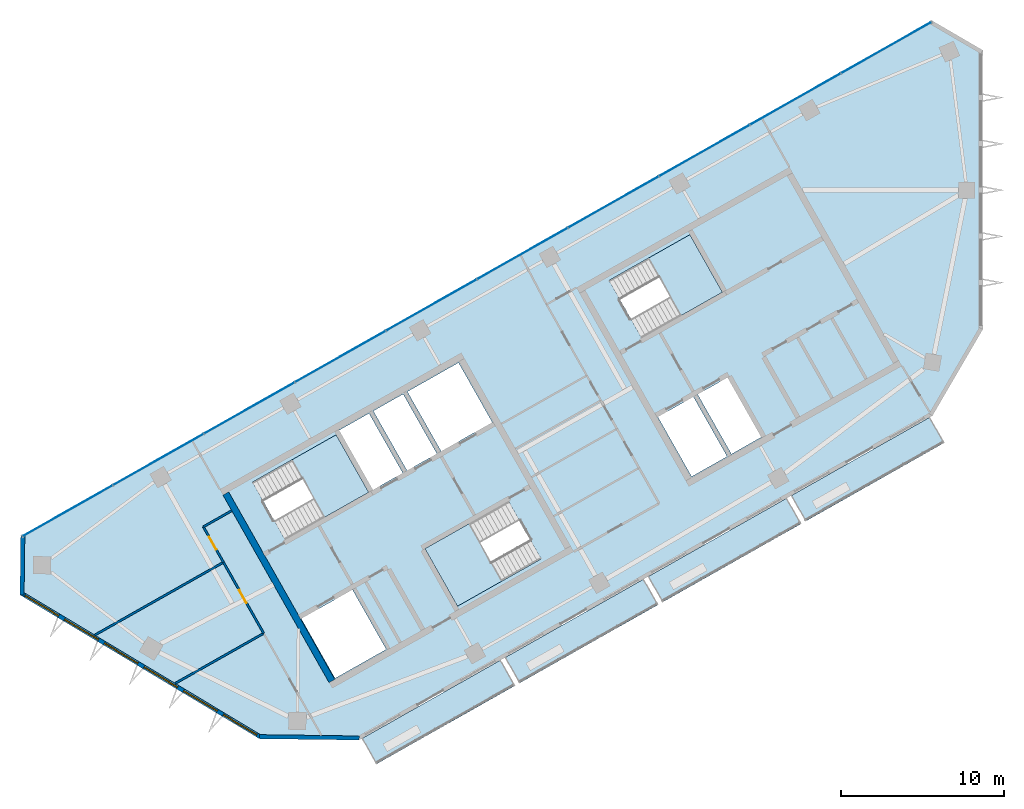
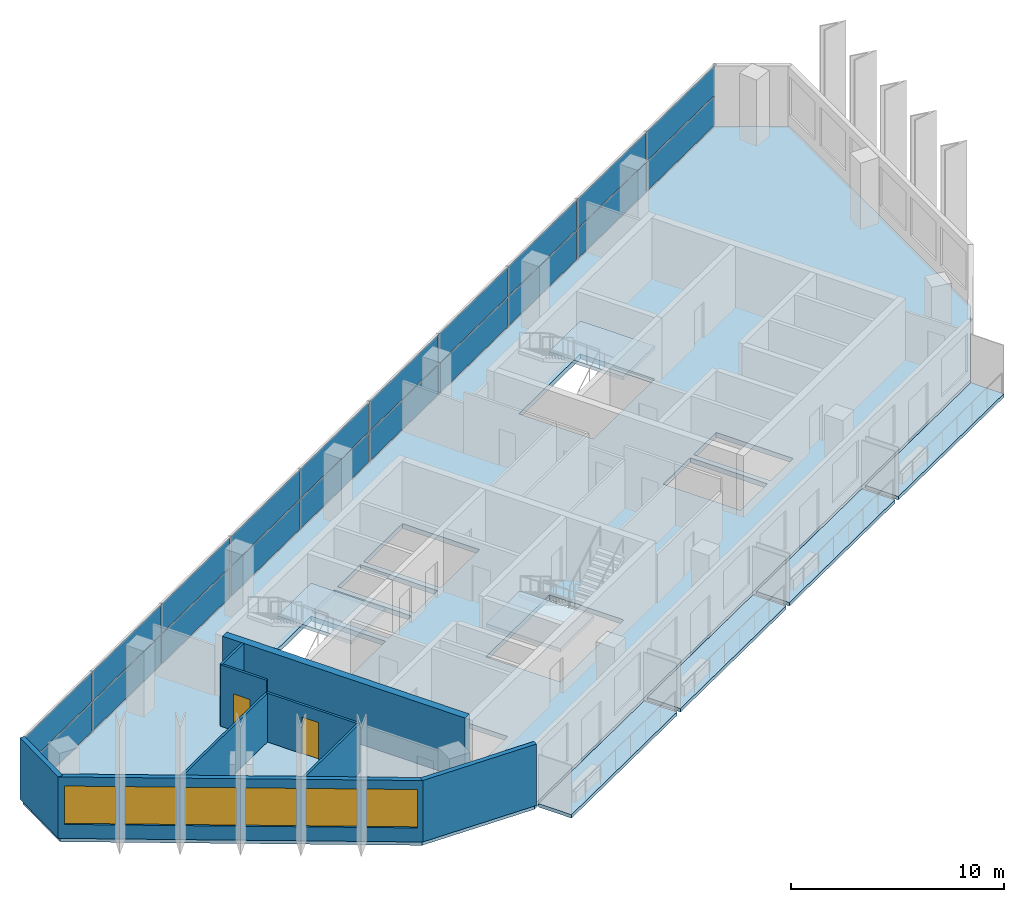
# One storey, part 5 of 10: 20 plates, 9 walls, 8 slabs, 6 windows, 2 doors, 8 openings, 4 elements without a shape of their own.
"""IFC4 building model written with IfcOpenShell, lengths in metres."""

from ifc_helpers import new_model, si_unit, direction, frame, frame_2d, origin, origin_2d, place, context, subcontext, project, spatial, polyline, rectangle, outline, extrude, material, layer, layer_set, type_object, element, fill, aggregate, save


model = new_model("IFC4")

# Units and contexts
model_context = context("Model", 3, precision=1e-05, world=origin(), true_north=direction((0.0, 1.0)))
body_context = subcontext(model_context, "Body", "Model", "MODEL_VIEW")
ifc_project = project(units=[si_unit("LENGTHUNIT", "METRE"), si_unit("AREAUNIT", "SQUARE_METRE"), si_unit("VOLUMEUNIT", "CUBIC_METRE"), si_unit("PLANEANGLEUNIT", "RADIAN"), si_unit("MASSUNIT", "GRAM", prefix="KILO")], contexts=[model_context])

# Site, building, storey
site_placement = place(None, origin())
site = spatial("IfcSite", under=ifc_project, at=site_placement, CompositionType="ELEMENT")
building_placement = place(site_placement, origin())
building = spatial("IfcBuilding", under=site, at=building_placement, Name="Binnacle Exchange Tower", CompositionType="ELEMENT")
storey_placement = place(building_placement, frame((0.0, 0.0, 339.300048828125)))
storey = spatial("IfcBuildingStorey", under=building, at=storey_placement, Name="L77", CompositionType="ELEMENT", Elevation=339.300048828125)

# Slabs
ifc_material_1 = material(Name="Concrete C35/45", Category="concrete")
ifc_layer_1 = layer(ifc_material_1, 0.199951171875)
ifc_layer_set_1 = layer_set([ifc_layer_1], Name="BALCONY SLAB 200")
slab_type_1 = type_object("IfcSlabType", Name="BALCONY SLAB 200", PredefinedType="FLOOR", material=ifc_layer_set_1)
slab_1_placement = place(storey_placement, frame((0.0, 0.0, -0.199951171875)))
element("IfcSlab", 1, at=slab_1_placement, inside=storey, type_object=slab_type_1, Name="Balcony BA-H07-00 L77", PredefinedType="FLOOR", context=body_context, shape_type="SweptSolid", body=[
    extrude(outline(polyline([(-37.90576171875, 26.410400390625), (-29.40380859375, 31.220458984375), (-28.517578125, 29.65380859375), (-37.019287109375, 24.84375), (-37.90576171875, 26.410400390625)])), origin(), (0.0, 0.0, 1.0), 0.199951171875),
])
slab_2_placement = place(storey_placement, frame((0.0, 0.0, -0.199951171875)))
element("IfcSlab", 2, at=slab_2_placement, inside=storey, type_object=slab_type_1, Name="Balcony BA-H07-01 L77", PredefinedType="FLOOR", context=body_context, shape_type="SweptSolid", body=[
    extrude(outline(polyline([(-29.142822265625, 31.3681640625), (-20.64111328125, 36.17822265625), (-19.754638671875, 34.611572265625), (-28.25634765625, 29.801513671875), (-29.142822265625, 31.3681640625)])), origin(), (0.0, 0.0, 1.0), 0.199951171875),
])
slab_3_placement = place(storey_placement, frame((0.0, 0.0, -0.199951171875)))
element("IfcSlab", 3, at=slab_3_placement, inside=storey, type_object=slab_type_1, Name="Balcony BA-H07-02 L77", PredefinedType="FLOOR", context=body_context, shape_type="SweptSolid", body=[
    extrude(outline(polyline([(-20.3798828125, 36.325927734375), (-11.878173828125, 41.135986328125), (-10.99169921875, 39.5693359375), (-19.493408203125, 34.759521484375), (-20.3798828125, 36.325927734375)])), origin(), (0.0, 0.0, 1.0), 0.199951171875),
])
slab_4_placement = place(storey_placement, frame((0.0, 0.0, -0.199951171875)))
element("IfcSlab", 4, at=slab_4_placement, inside=storey, type_object=slab_type_1, Name="Balcony BA-H07-03 L77", PredefinedType="FLOOR", context=body_context, shape_type="SweptSolid", body=[
    extrude(outline(polyline([(-11.616943359375, 41.28369140625), (-3.115234375, 46.093994140625), (-2.22900390625, 44.527099609375), (-10.730712890625, 39.717041015625), (-11.616943359375, 41.28369140625)])), origin(), (0.0, 0.0, 1.0), 0.199951171875),
])

# Curtain wall, plates
ifc_material_2 = material(Name="Bronze anodised aluminium frame", Category="aluminium")
curtain_wall_type = type_object("IfcCurtainWallType", Name="External wall - curtain wall executive floors", PredefinedType="NOTDEFINED", material=ifc_material_2)
curtain_wall_placement = place(storey_placement, origin())
curtain_wall = element("IfcCurtainWall", 5, at=curtain_wall_placement, inside=storey, type_object=curtain_wall_type, Name="External wall curtain wall CW4-H03 L77", PredefinedType="NOTDEFINED")
ifc_material_3 = material(Name="Glass", Category="glass")
ifc_layer_2 = layer(ifc_material_3, 0.031982421875)
ifc_layer_set_2 = layer_set([ifc_layer_2], Name="CW4 GLASS PANEL 32")
plate_type = type_object("IfcPlateType", Name="CW4 GLASS PANEL 32", PredefinedType="CURTAIN_PANEL", material=ifc_layer_set_2)
plate_1_placement = place(storey_placement, frame((-5.786376953125, 68.72607421875, 0.0498046875), z_axis=(0.0, 0.0, 1.0), x_axis=(-0.870355581136, -0.492423763019, 0.0)))
plate_1 = element("IfcPlate", 6, at=plate_1_placement, type_object=plate_type, Name="CW4-H03 panel 1.1", PredefinedType="CURTAIN_PANEL", context=body_context, shape_type="SweptSolid", body=[
    extrude(rectangle(XDim=6.30029296875, YDim=0.031982421875, at=origin_2d()), origin(), (0.0, 0.0, 1.0), 1.68505859375),
])
plate_2_placement = place(storey_placement, frame((-5.786376953125, 68.72607421875, 1.784912109375), z_axis=(0.0, 0.0, 1.0), x_axis=(-0.870355581136, -0.492423763019, 0.0)))
plate_2 = element("IfcPlate", 7, at=plate_2_placement, type_object=plate_type, Name="CW4-H03 panel 1.2", PredefinedType="CURTAIN_PANEL", context=body_context, shape_type="SweptSolid", body=[
    extrude(rectangle(XDim=6.30029296875, YDim=0.031982421875, at=origin_2d()), origin(), (0.0, 0.0, 1.0), 1.68505859375),
])
plate_3_placement = place(storey_placement, frame((-11.345947265625, 65.580810546875, 0.0498046875), z_axis=(0.0, 0.0, 1.0), x_axis=(-0.870355581136, -0.492423763019, 0.0)))
plate_3 = element("IfcPlate", 8, at=plate_3_placement, type_object=plate_type, Name="CW4-H03 panel 2.1", PredefinedType="CURTAIN_PANEL", context=body_context, shape_type="SweptSolid", body=[
    extrude(rectangle(XDim=6.335205078125, YDim=0.031982421875, at=origin_2d()), origin(), (0.0, 0.0, 1.0), 1.68505859375),
])
plate_4_placement = place(storey_placement, frame((-11.345947265625, 65.580810546875, 1.784912109375), z_axis=(0.0, 0.0, 1.0), x_axis=(-0.870355581136, -0.492423763019, 0.0)))
plate_4 = element("IfcPlate", 9, at=plate_4_placement, type_object=plate_type, Name="CW4-H03 panel 2.2", PredefinedType="CURTAIN_PANEL", context=body_context, shape_type="SweptSolid", body=[
    extrude(rectangle(XDim=6.335205078125, YDim=0.031982421875, at=origin_2d()), origin(), (0.0, 0.0, 1.0), 1.68505859375),
])
plate_5_placement = place(storey_placement, frame((-16.9208984375, 62.426513671875, 0.0498046875), z_axis=(0.0, 0.0, 1.0), x_axis=(-0.870355581136, -0.492423763019, 0.0)))
plate_5 = element("IfcPlate", 10, at=plate_5_placement, type_object=plate_type, Name="CW4-H03 panel 3.1", PredefinedType="CURTAIN_PANEL", context=body_context, shape_type="SweptSolid", body=[
    extrude(rectangle(XDim=6.335205078125, YDim=0.031982421875, at=origin_2d()), origin(), (0.0, 0.0, 1.0), 1.68505859375),
])
plate_6_placement = place(storey_placement, frame((-16.9208984375, 62.426513671875, 1.784912109375), z_axis=(0.0, 0.0, 1.0), x_axis=(-0.870355581136, -0.492423763019, 0.0)))
plate_6 = element("IfcPlate", 11, at=plate_6_placement, type_object=plate_type, Name="CW4-H03 panel 3.2", PredefinedType="CURTAIN_PANEL", context=body_context, shape_type="SweptSolid", body=[
    extrude(rectangle(XDim=6.335205078125, YDim=0.031982421875, at=origin_2d()), origin(), (0.0, 0.0, 1.0), 1.68505859375),
])
plate_7_placement = place(storey_placement, frame((-22.49560546875, 59.2724609375, 0.0498046875), z_axis=(0.0, 0.0, 1.0), x_axis=(-0.870355581136, -0.492423763019, 0.0)))
plate_7 = element("IfcPlate", 12, at=plate_7_placement, type_object=plate_type, Name="CW4-H03 panel 4.1", PredefinedType="CURTAIN_PANEL", context=body_context, shape_type="SweptSolid", body=[
    extrude(rectangle(XDim=6.335205078125, YDim=0.031982421875, at=origin_2d()), origin(), (0.0, 0.0, 1.0), 1.68505859375),
])
plate_8_placement = place(storey_placement, frame((-22.49560546875, 59.2724609375, 1.784912109375), z_axis=(0.0, 0.0, 1.0), x_axis=(-0.870355581136, -0.492423763019, 0.0)))
plate_8 = element("IfcPlate", 13, at=plate_8_placement, type_object=plate_type, Name="CW4-H03 panel 4.2", PredefinedType="CURTAIN_PANEL", context=body_context, shape_type="SweptSolid", body=[
    extrude(rectangle(XDim=6.335205078125, YDim=0.031982421875, at=origin_2d()), origin(), (0.0, 0.0, 1.0), 1.68505859375),
])
plate_9_placement = place(storey_placement, frame((-28.070556640625, 56.118408203125, 0.0498046875), z_axis=(0.0, 0.0, 1.0), x_axis=(-0.870355581136, -0.492423763019, 0.0)))
plate_9 = element("IfcPlate", 14, at=plate_9_placement, type_object=plate_type, Name="CW4-H03 panel 5.1", PredefinedType="CURTAIN_PANEL", context=body_context, shape_type="SweptSolid", body=[
    extrude(rectangle(XDim=6.335205078125, YDim=0.031982421875, at=origin_2d()), origin(), (0.0, 0.0, 1.0), 1.68505859375),
])
plate_10_placement = place(storey_placement, frame((-28.070556640625, 56.118408203125, 1.784912109375), z_axis=(0.0, 0.0, 1.0), x_axis=(-0.870355581136, -0.492423763019, 0.0)))
plate_10 = element("IfcPlate", 15, at=plate_10_placement, type_object=plate_type, Name="CW4-H03 panel 5.2", PredefinedType="CURTAIN_PANEL", context=body_context, shape_type="SweptSolid", body=[
    extrude(rectangle(XDim=6.335205078125, YDim=0.031982421875, at=origin_2d()), origin(), (0.0, 0.0, 1.0), 1.68505859375),
])
plate_11_placement = place(storey_placement, frame((-33.6455078125, 52.96435546875, 0.0498046875), z_axis=(0.0, 0.0, 1.0), x_axis=(-0.870355581136, -0.492423763019, 0.0)))
plate_11 = element("IfcPlate", 16, at=plate_11_placement, type_object=plate_type, Name="CW4-H03 panel 6.1", PredefinedType="CURTAIN_PANEL", context=body_context, shape_type="SweptSolid", body=[
    extrude(rectangle(XDim=6.335205078125, YDim=0.031982421875, at=origin_2d()), origin(), (0.0, 0.0, 1.0), 1.68505859375),
])
plate_12_placement = place(storey_placement, frame((-33.6455078125, 52.96435546875, 1.784912109375), z_axis=(0.0, 0.0, 1.0), x_axis=(-0.870355581136, -0.492423763019, 0.0)))
plate_12 = element("IfcPlate", 17, at=plate_12_placement, type_object=plate_type, Name="CW4-H03 panel 6.2", PredefinedType="CURTAIN_PANEL", context=body_context, shape_type="SweptSolid", body=[
    extrude(rectangle(XDim=6.335205078125, YDim=0.031982421875, at=origin_2d()), origin(), (0.0, 0.0, 1.0), 1.68505859375),
])
plate_13_placement = place(storey_placement, frame((-39.22021484375, 49.810302734375, 0.0498046875), z_axis=(0.0, 0.0, 1.0), x_axis=(-0.870355581136, -0.492423763019, 0.0)))
plate_13 = element("IfcPlate", 18, at=plate_13_placement, type_object=plate_type, Name="CW4-H03 panel 7.1", PredefinedType="CURTAIN_PANEL", context=body_context, shape_type="SweptSolid", body=[
    extrude(rectangle(XDim=6.335205078125, YDim=0.031982421875, at=origin_2d()), origin(), (0.0, 0.0, 1.0), 1.68505859375),
])
plate_14_placement = place(storey_placement, frame((-39.22021484375, 49.810302734375, 1.784912109375), z_axis=(0.0, 0.0, 1.0), x_axis=(-0.870355581136, -0.492423763019, 0.0)))
plate_14 = element("IfcPlate", 19, at=plate_14_placement, type_object=plate_type, Name="CW4-H03 panel 7.2", PredefinedType="CURTAIN_PANEL", context=body_context, shape_type="SweptSolid", body=[
    extrude(rectangle(XDim=6.335205078125, YDim=0.031982421875, at=origin_2d()), origin(), (0.0, 0.0, 1.0), 1.68505859375),
])
plate_15_placement = place(storey_placement, frame((-44.795166015625, 46.656005859375, 0.0498046875), z_axis=(0.0, 0.0, 1.0), x_axis=(-0.870355581136, -0.492423763019, 0.0)))
plate_15 = element("IfcPlate", 20, at=plate_15_placement, type_object=plate_type, Name="CW4-H03 panel 8.1", PredefinedType="CURTAIN_PANEL", context=body_context, shape_type="SweptSolid", body=[
    extrude(rectangle(XDim=6.335205078125, YDim=0.031982421875, at=origin_2d()), origin(), (0.0, 0.0, 1.0), 1.68505859375),
])
plate_16_placement = place(storey_placement, frame((-44.795166015625, 46.656005859375, 1.784912109375), z_axis=(0.0, 0.0, 1.0), x_axis=(-0.870355581136, -0.492423763019, 0.0)))
plate_16 = element("IfcPlate", 21, at=plate_16_placement, type_object=plate_type, Name="CW4-H03 panel 8.2", PredefinedType="CURTAIN_PANEL", context=body_context, shape_type="SweptSolid", body=[
    extrude(rectangle(XDim=6.335205078125, YDim=0.031982421875, at=origin_2d()), origin(), (0.0, 0.0, 1.0), 1.68505859375),
])
plate_17_placement = place(storey_placement, frame((-50.369873046875, 43.501953125, 0.0498046875), z_axis=(0.0, 0.0, 1.0), x_axis=(-0.870355581136, -0.492423763019, 0.0)))
plate_17 = element("IfcPlate", 22, at=plate_17_placement, type_object=plate_type, Name="CW4-H03 panel 9.1", PredefinedType="CURTAIN_PANEL", context=body_context, shape_type="SweptSolid", body=[
    extrude(rectangle(XDim=6.335205078125, YDim=0.031982421875, at=origin_2d()), origin(), (0.0, 0.0, 1.0), 1.68505859375),
])
plate_18_placement = place(storey_placement, frame((-50.369873046875, 43.501953125, 1.784912109375), z_axis=(0.0, 0.0, 1.0), x_axis=(-0.870355581136, -0.492423763019, 0.0)))
plate_18 = element("IfcPlate", 23, at=plate_18_placement, type_object=plate_type, Name="CW4-H03 panel 9.2", PredefinedType="CURTAIN_PANEL", context=body_context, shape_type="SweptSolid", body=[
    extrude(rectangle(XDim=6.335205078125, YDim=0.031982421875, at=origin_2d()), origin(), (0.0, 0.0, 1.0), 1.68505859375),
])
plate_19_placement = place(storey_placement, frame((-55.9296875, 40.3564453125, 0.0498046875), z_axis=(0.0, 0.0, 1.0), x_axis=(-0.870355581136, -0.492423763019, 0.0)))
plate_19 = element("IfcPlate", 24, at=plate_19_placement, type_object=plate_type, Name="CW4-H03 panel 10.1", PredefinedType="CURTAIN_PANEL", context=body_context, shape_type="SweptSolid", body=[
    extrude(rectangle(XDim=6.30029296875, YDim=0.031982421875, at=origin_2d()), origin(), (0.0, 0.0, 1.0), 1.68505859375),
])
plate_20_placement = place(storey_placement, frame((-55.9296875, 40.3564453125, 1.784912109375), z_axis=(0.0, 0.0, 1.0), x_axis=(-0.870355581136, -0.492423763019, 0.0)))
plate_20 = element("IfcPlate", 25, at=plate_20_placement, type_object=plate_type, Name="CW4-H03 panel 10.2", PredefinedType="CURTAIN_PANEL", context=body_context, shape_type="SweptSolid", body=[
    extrude(rectangle(XDim=6.30029296875, YDim=0.031982421875, at=origin_2d()), origin(), (0.0, 0.0, 1.0), 1.68505859375),
])
aggregate(curtain_wall, [plate_1, plate_2, plate_3, plate_4, plate_5, plate_6, plate_7, plate_8, plate_9, plate_10, plate_11, plate_12, plate_13, plate_14, plate_15, plate_16, plate_17, plate_18, plate_19, plate_20])

# Slab
ifc_layer_3 = layer(ifc_material_1, 0.280029296875)
ifc_layer_set_3 = layer_set([ifc_layer_3], Name="Floor slab 280 Concrete C35/45")
slab_type_2 = type_object("IfcSlabType", Name="Floor slab 280 Concrete C35/45", PredefinedType="FLOOR", material=ifc_layer_set_3)
slab_5_placement = place(storey_placement, frame((0.0, 0.0, -0.280029296875)))
element("IfcSlab", 26, at=slab_5_placement, inside=storey, type_object=slab_type_2, Name="S:SL:L77:01", PredefinedType="FLOOR", context=body_context, shape_type="SweptSolid", body=[
    extrude(outline(polyline([(-38.097900390625, 26.4453125), (-44.14404296875, 26.5244140625), (-58.716064453125, 35.280029296875), (-58.669921875, 38.80615234375), (-3.046142578125, 70.276611328125), (0.0, 68.5), (0.0, 51.5), (-3.046142578125, 46.276611328125), (-38.097900390625, 26.4453125)]), holes=[polyline([(-38.4794921875, 35.529296875), (-41.61279296875, 33.756591796875), (-39.544677734375, 30.10107421875), (-36.411376953125, 31.873779296875), (-38.4794921875, 35.529296875)]), polyline([(-32.04638671875, 34.515625), (-26.9287109375, 37.4111328125), (-28.923095703125, 40.93603515625), (-34.040771484375, 38.04052734375), (-32.04638671875, 34.515625)]), polyline([(-39.480712890625, 45.01611328125), (-44.598388671875, 42.12060546875), (-42.604248046875, 38.595703125), (-37.486572265625, 41.4912109375), (-39.480712890625, 45.01611328125)]), polyline([(-37.4658203125, 46.32861328125), (-39.293701171875, 45.29443359375), (-37.225341796875, 41.638916015625), (-35.397705078125, 42.673095703125), (-37.4658203125, 46.32861328125)]), polyline([(-17.598876953125, 47.343017578125), (-19.77490234375, 46.11181640625), (-17.70654296875, 42.456298828125), (-15.53076171875, 43.6875), (-17.598876953125, 47.343017578125)]), polyline([(-35.376953125, 47.51025390625), (-37.20458984375, 46.476318359375), (-35.136474609375, 42.82080078125), (-33.308837890625, 43.854736328125), (-35.376953125, 47.51025390625)]), polyline([(-15.510009765625, 48.52490234375), (-17.337890625, 47.49072265625), (-15.26953125, 43.835205078125), (-13.44189453125, 44.869384765625), (-15.510009765625, 48.52490234375)]), polyline([(-29.914306640625, 45.775390625), (-31.982666015625, 49.430908203125), (-35.115966796875, 47.657958984375), (-33.047607421875, 44.00244140625), (-29.914306640625, 45.775390625)]), polyline([(-15.822509765625, 53.748046875), (-17.81689453125, 57.27294921875), (-22.760498046875, 54.47607421875), (-20.76611328125, 50.950927734375), (-15.822509765625, 53.748046875)])]), origin(), (0.0, 0.0, 1.0), 0.280029296875),
])

# Stair, slab
stair_type = type_object("IfcStairType", Name="STAIR 22 RISERS 173", PredefinedType="HALF_TURN_STAIR", material=ifc_material_1)
stair_1_placement = place(storey_placement, origin())
stair_1 = element("IfcStair", 27, at=stair_1_placement, inside=storey, type_object=stair_type, Name="L77 Escape stair A1", PredefinedType="HALF_TURN_STAIR")
ifc_layer_4 = layer(ifc_material_1, 0.199951171875)
ifc_layer_set_4 = layer_set([ifc_layer_4], Name="STAIR LANDING 200")
slab_type_3 = type_object("IfcSlabType", Name="STAIR LANDING 200", PredefinedType="LANDING", material=ifc_layer_set_4)
slab_6_placement = place(storey_placement, frame((0.0, 0.0, 1.699951171875)))
slab_6 = element("IfcSlab", 28, at=slab_6_placement, type_object=slab_type_3, Name="STA1 landing 1", PredefinedType="LANDING", context=body_context, shape_type="SweptSolid", body=[
    extrude(outline(polyline([(-40.2021484375, 39.954833984375), (-37.486572265625, 41.4912109375), (-39.48095703125, 45.01611328125), (-42.1962890625, 43.479736328125), (-40.2021484375, 39.954833984375)])), origin(), (0.0, 0.0, 1.0), 0.199951171875),
])
aggregate(stair_1, [slab_6])

stair_2_placement = place(storey_placement, origin())
stair_2 = element("IfcStair", 29, at=stair_2_placement, inside=storey, type_object=stair_type, Name="L77 Escape stair A2", PredefinedType="HALF_TURN_STAIR")
slab_7_placement = place(storey_placement, frame((0.0, 0.0, 1.699951171875)))
slab_7 = element("IfcSlab", 30, at=slab_7_placement, type_object=slab_type_3, Name="STA2 landing 1", PredefinedType="LANDING", context=body_context, shape_type="SweptSolid", body=[
    extrude(outline(polyline([(-31.3251953125, 39.576904296875), (-34.040771484375, 38.04052734375), (-32.04638671875, 34.515625), (-29.330810546875, 36.052001953125), (-31.3251953125, 39.576904296875)])), origin(), (0.0, 0.0, 1.0), 0.199951171875),
])
aggregate(stair_2, [slab_7])

stair_3_placement = place(storey_placement, origin())
stair_3 = element("IfcStair", 31, at=stair_3_placement, inside=storey, type_object=stair_type, Name="L77 Escape stair C1", PredefinedType="HALF_TURN_STAIR")
slab_8_placement = place(storey_placement, frame((0.0, 0.0, 1.699951171875)))
slab_8 = element("IfcSlab", 32, at=slab_8_placement, type_object=slab_type_3, Name="STC1 landing 1", PredefinedType="LANDING", context=body_context, shape_type="SweptSolid", body=[
    extrude(outline(polyline([(-18.364013671875, 52.31005859375), (-15.822509765625, 53.748046875), (-17.81689453125, 57.27294921875), (-20.3583984375, 55.8349609375), (-18.364013671875, 52.31005859375)])), origin(), (0.0, 0.0, 1.0), 0.199951171875),
])
aggregate(stair_3, [slab_8])

# Walls
ifc_material_4 = material(Name="Concrete C70/85", Category="concrete")
ifc_layer_5 = layer(ifc_material_4, 0.39990234375)
ifc_layer_set_5 = layer_set([ifc_layer_5], Name="Core wall - outer 400")
wall_type_1 = type_object("IfcWallType", Name="Core wall - outer 400", PredefinedType="SOLIDWALL", material=ifc_layer_set_5)
wall_1_placement = place(storey_placement, frame((-46.237548828125, 41.423095703125, 0.0), z_axis=(0.0, 0.0, 1.0), x_axis=(0.492421663121, -0.870356769198, 0.0)))
element("IfcWall", 33, at=wall_1_placement, inside=storey, type_object=wall_type_1, Name="Core wall CRWA7", PredefinedType="SOLIDWALL", context=body_context, shape_type="SweptSolid", body=[
    extrude(rectangle(XDim=13.199951171875, YDim=0.39990234375, at=frame_2d((6.60009765625, 0.0))), origin(), (0.0, 0.0, 1.0), 3.52001953125),
])
ifc_material_5 = material(Name="Bronze aluminium cladding", Category="aluminium")
ifc_layer_6 = layer(ifc_material_5, 0.25)
ifc_layer_set_6 = layer_set([ifc_layer_6], Name="External wall - window wall 250")
wall_type_2 = type_object("IfcWallType", Name="External wall - window wall 250", PredefinedType="STANDARD", material=ifc_layer_set_6)
wall_2_placement = place(storey_placement, frame((-58.717041015625, 35.208251953125, 0.0), z_axis=(0.0, 0.0, 1.0), x_axis=(0.01310512158, 0.999914124207, 0.0)))
element("IfcWall", 34, at=wall_2_placement, inside=storey, type_object=wall_type_2, Name="External wall EW-H04 L77", PredefinedType="STANDARD", context=body_context, shape_type="SweptSolid", body=[
    extrude(rectangle(XDim=3.669921875, YDim=0.25, at=frame_2d((1.8349609375, 0.0))), origin(), (0.0, 0.0, 1.0), 3.52001953125),
])

# Wall, openings, windows
wall_3_placement = place(storey_placement, frame((-44.115234375, 26.507080078125, 0.0), z_axis=(0.0, 0.0, 1.0), x_axis=(-0.857166583633, 0.515039268311, 0.0)))
wall_3 = element("IfcWall", 35, at=wall_3_placement, inside=storey, type_object=wall_type_2, Name="External wall EW-H05 L77", PredefinedType="STANDARD", context=body_context, shape_type="SweptSolid", body=[
    extrude(rectangle(XDim=17.105712890625, YDim=0.25, at=frame_2d((8.552734375, 0.0))), origin(), (0.0, 0.0, 1.0), 3.52001953125),
])
opening_1_placement = place(wall_3_placement, frame((14.4169921875, 0.0, 0.800048828125)))
opening_1 = element("IfcOpeningElement", 36, at=opening_1_placement, cuts=wall_3, Name="Opening WR2", PredefinedType="OPENING", context=body_context, shape_type="SweptSolid", body=[
    extrude(rectangle(XDim=2.39990234375, YDim=2.199951171875, at=frame_2d((1.199951171875, 1.10009765625))), frame((0.0, 0.135009765625, 0.0), z_axis=(0.0, -1.0, 0.0), x_axis=(1.0, 0.0, 0.0)), (0.0, 0.0, 1.0), 0.27001953125),
])
opening_2_placement = place(wall_3_placement, frame((11.583740234375, 0.0, 0.800048828125)))
opening_2 = element("IfcOpeningElement", 37, at=opening_2_placement, cuts=wall_3, Name="Opening WR2", PredefinedType="OPENING", context=body_context, shape_type="SweptSolid", body=[
    extrude(rectangle(XDim=2.39990234375, YDim=2.199951171875, at=frame_2d((1.199951171875, 1.10009765625))), frame((0.0, 0.135009765625, 0.0), z_axis=(0.0, -1.0, 0.0), x_axis=(1.0, 0.0, 0.0)), (0.0, 0.0, 1.0), 0.27001953125),
])
opening_3_placement = place(wall_3_placement, frame((8.75048828125, 0.0, 0.800048828125)))
opening_3 = element("IfcOpeningElement", 38, at=opening_3_placement, cuts=wall_3, Name="Opening WR2", PredefinedType="OPENING", context=body_context, shape_type="SweptSolid", body=[
    extrude(rectangle(XDim=2.39990234375, YDim=2.199951171875, at=frame_2d((1.199951171875, 1.10009765625))), frame((0.0, 0.135009765625, 0.0), z_axis=(0.0, -1.0, 0.0), x_axis=(1.0, 0.0, 0.0)), (0.0, 0.0, 1.0), 0.27001953125),
])
opening_4_placement = place(wall_3_placement, frame((5.9169921875, 0.0, 0.800048828125)))
opening_4 = element("IfcOpeningElement", 39, at=opening_4_placement, cuts=wall_3, Name="Opening WR2", PredefinedType="OPENING", context=body_context, shape_type="SweptSolid", body=[
    extrude(rectangle(XDim=2.39990234375, YDim=2.199951171875, at=frame_2d((1.199951171875, 1.10009765625))), frame((0.0, 0.135009765625, 0.0), z_axis=(0.0, -1.0, 0.0), x_axis=(1.0, 0.0, 0.0)), (0.0, 0.0, 1.0), 0.27001953125),
])
opening_5_placement = place(wall_3_placement, frame((3.083740234375, 0.0, 0.800048828125)))
opening_5 = element("IfcOpeningElement", 40, at=opening_5_placement, cuts=wall_3, Name="Opening WR2", PredefinedType="OPENING", context=body_context, shape_type="SweptSolid", body=[
    extrude(rectangle(XDim=2.39990234375, YDim=2.199951171875, at=frame_2d((1.199951171875, 1.10009765625))), frame((0.0, 0.135009765625, 0.0), z_axis=(0.0, -1.0, 0.0), x_axis=(1.0, 0.0, 0.0)), (0.0, 0.0, 1.0), 0.27001953125),
])
opening_6_placement = place(wall_3_placement, frame((0.25048828125, 0.0, 0.800048828125)))
opening_6 = element("IfcOpeningElement", 41, at=opening_6_placement, cuts=wall_3, Name="Opening WR2", PredefinedType="OPENING", context=body_context, shape_type="SweptSolid", body=[
    extrude(rectangle(XDim=2.39990234375, YDim=2.199951171875, at=frame_2d((1.199951171875, 1.10009765625))), frame((0.0, 0.135009765625, 0.0), z_axis=(0.0, -1.0, 0.0), x_axis=(1.0, 0.0, 0.0)), (0.0, 0.0, 1.0), 0.27001953125),
])
window_type = type_object("IfcWindowType", Name="WR2 WINDOW 2400x2200", PartitioningType="SINGLE_PANEL", PredefinedType="WINDOW", material=ifc_material_2)
window_1_placement = place(opening_1_placement, origin())
window_1 = element("IfcWindow", 42, at=window_1_placement, inside=storey, type_object=window_type, Name="Window WR2 L77", OverallHeight=2.199951171875, OverallWidth=2.39990234375, PartitioningType="SINGLE_PANEL", PredefinedType="WINDOW", context=body_context, shape_type="SweptSolid", body=[
    extrude(rectangle(XDim=2.39990234375, YDim=2.199951171875, at=frame_2d((1.199951171875, 1.10009765625))), frame((0.0, 0.030029296875, 0.0), z_axis=(0.0, -1.0, 0.0), x_axis=(1.0, 0.0, 0.0)), (0.0, 0.0, 1.0), 0.06005859375),
])
fill(opening_1, window_1)
window_2_placement = place(opening_2_placement, origin())
window_2 = element("IfcWindow", 43, at=window_2_placement, inside=storey, type_object=window_type, Name="Window WR2 L77", OverallHeight=2.199951171875, OverallWidth=2.39990234375, PartitioningType="SINGLE_PANEL", PredefinedType="WINDOW", context=body_context, shape_type="SweptSolid", body=[
    extrude(rectangle(XDim=2.39990234375, YDim=2.199951171875, at=frame_2d((1.199951171875, 1.10009765625))), frame((0.0, 0.030029296875, 0.0), z_axis=(0.0, -1.0, 0.0), x_axis=(1.0, 0.0, 0.0)), (0.0, 0.0, 1.0), 0.06005859375),
])
fill(opening_2, window_2)
window_3_placement = place(opening_3_placement, origin())
window_3 = element("IfcWindow", 44, at=window_3_placement, inside=storey, type_object=window_type, Name="Window WR2 L77", OverallHeight=2.199951171875, OverallWidth=2.39990234375, PartitioningType="SINGLE_PANEL", PredefinedType="WINDOW", context=body_context, shape_type="SweptSolid", body=[
    extrude(rectangle(XDim=2.39990234375, YDim=2.199951171875, at=frame_2d((1.199951171875, 1.10009765625))), frame((0.0, 0.030029296875, 0.0), z_axis=(0.0, -1.0, 0.0), x_axis=(1.0, 0.0, 0.0)), (0.0, 0.0, 1.0), 0.06005859375),
])
fill(opening_3, window_3)
window_4_placement = place(opening_4_placement, origin())
window_4 = element("IfcWindow", 45, at=window_4_placement, inside=storey, type_object=window_type, Name="Window WR2 L77", OverallHeight=2.199951171875, OverallWidth=2.39990234375, PartitioningType="SINGLE_PANEL", PredefinedType="WINDOW", context=body_context, shape_type="SweptSolid", body=[
    extrude(rectangle(XDim=2.39990234375, YDim=2.199951171875, at=frame_2d((1.199951171875, 1.10009765625))), frame((0.0, 0.030029296875, 0.0), z_axis=(0.0, -1.0, 0.0), x_axis=(1.0, 0.0, 0.0)), (0.0, 0.0, 1.0), 0.06005859375),
])
fill(opening_4, window_4)
window_5_placement = place(opening_5_placement, origin())
window_5 = element("IfcWindow", 46, at=window_5_placement, inside=storey, type_object=window_type, Name="Window WR2 L77", OverallHeight=2.199951171875, OverallWidth=2.39990234375, PartitioningType="SINGLE_PANEL", PredefinedType="WINDOW", context=body_context, shape_type="SweptSolid", body=[
    extrude(rectangle(XDim=2.39990234375, YDim=2.199951171875, at=frame_2d((1.199951171875, 1.10009765625))), frame((0.0, 0.030029296875, 0.0), z_axis=(0.0, -1.0, 0.0), x_axis=(1.0, 0.0, 0.0)), (0.0, 0.0, 1.0), 0.06005859375),
])
fill(opening_5, window_5)
window_6_placement = place(opening_6_placement, origin())
window_6 = element("IfcWindow", 47, at=window_6_placement, inside=storey, type_object=window_type, Name="Window WR2 L77", OverallHeight=2.199951171875, OverallWidth=2.39990234375, PartitioningType="SINGLE_PANEL", PredefinedType="WINDOW", context=body_context, shape_type="SweptSolid", body=[
    extrude(rectangle(XDim=2.39990234375, YDim=2.199951171875, at=frame_2d((1.199951171875, 1.10009765625))), frame((0.0, 0.030029296875, 0.0), z_axis=(0.0, -1.0, 0.0), x_axis=(1.0, 0.0, 0.0)), (0.0, 0.0, 1.0), 0.06005859375),
])
fill(opening_6, window_6)

# Walls
wall_4_placement = place(storey_placement, frame((-38.06396484375, 26.44482421875, 0.0), z_axis=(0.0, 0.0, 1.0), x_axis=(-0.999914239143, 0.013096349097, 0.0)))
element("IfcWall", 48, at=wall_4_placement, inside=storey, type_object=wall_type_2, Name="External wall EW-H06 L77", PredefinedType="STANDARD", context=body_context, shape_type="SweptSolid", body=[
    extrude(rectangle(XDim=6.114501953125, YDim=0.25, at=frame_2d((3.05712890625, 0.0))), origin(), (0.0, 0.0, 1.0), 3.52001953125),
])
ifc_material_6 = material(Name="Gypsum partition")
ifc_layer_7 = layer(ifc_material_6, 0.125)
ifc_layer_set_7 = layer_set([ifc_layer_7], Name="Partition 125")
wall_type_3 = type_object("IfcWallType", Name="Partition 125", PredefinedType="PARTITIONING", material=ifc_layer_set_7)
wall_5_placement = place(storey_placement, frame((-54.260009765625, 32.7490234375, 0.0), z_axis=(0.0, 0.0, 1.0), x_axis=(0.870418654615, 0.492312264419, 0.0)))
element("IfcWall", 49, at=wall_5_placement, inside=storey, type_object=wall_type_3, Name="Partition W01", PredefinedType="PARTITIONING", context=body_context, shape_type="SweptSolid", body=[
    extrude(rectangle(XDim=9.05322265625, YDim=0.125, at=frame_2d((4.526611328125, 0.0))), origin(), (0.0, 0.0, 1.0), 2.800048828125),
])
wall_6_placement = place(storey_placement, frame((-49.3349609375, 29.7900390625, 0.0), z_axis=(0.0, 0.0, 1.0), x_axis=(0.870383085237, 0.492375146542, 0.0)))
element("IfcWall", 50, at=wall_6_placement, inside=storey, type_object=wall_type_3, Name="Partition W02", PredefinedType="PARTITIONING", context=body_context, shape_type="SweptSolid", body=[
    extrude(rectangle(XDim=6.224853515625, YDim=0.125, at=frame_2d((3.1123046875, 0.0))), origin(), (0.0, 0.0, 1.0), 2.800048828125),
])

# Wall, opening, door
wall_7_placement = place(storey_placement, frame((-47.611083984375, 39.382080078125, 0.0), z_axis=(0.0, 0.0, 1.0), x_axis=(0.49244332707, -0.870344512032, 0.0)))
wall_7 = element("IfcWall", 51, at=wall_7_placement, inside=storey, type_object=wall_type_3, Name="Partition W04", PredefinedType="PARTITIONING", context=body_context, shape_type="SweptSolid", body=[
    extrude(rectangle(XDim=2.500244140625, YDim=0.125, at=frame_2d((1.25, 0.0))), origin(), (0.0, 0.0, 1.0), 3.52001953125),
])
opening_7_placement = place(wall_7_placement, frame((0.699951171875, 0.0, 0.0)))
opening_7 = element("IfcOpeningElement", 52, at=opening_7_placement, cuts=wall_7, Name="Opening DL77-07", PredefinedType="OPENING", context=body_context, shape_type="SweptSolid", body=[
    extrude(rectangle(XDim=0.89990234375, YDim=2.10009765625, at=frame_2d((0.449951171875, 1.050048828125))), frame((0.0, 0.072509765625, 0.0), z_axis=(0.0, -1.0, 0.0), x_axis=(1.0, 0.0, 0.0)), (0.0, 0.0, 1.0), 0.14501953125),
])
ifc_material_7 = material(Name="Timber door leaf", Category="wood")
door_type = type_object("IfcDoorType", Name="Door 900", OperationType="NOTDEFINED", PredefinedType="DOOR", material=ifc_material_7)
door_1_placement = place(opening_7_placement, frame((0.89990234375, 0.0, 0.0), z_axis=(0.0, 0.0, 1.0), x_axis=(-1.0, 0.0, 0.0)))
door_1 = element("IfcDoor", 53, at=door_1_placement, inside=storey, type_object=door_type, Name="Door DL77-07", OperationType="SINGLE_SWING_RIGHT", OverallHeight=2.10009765625, OverallWidth=0.89990234375, PredefinedType="DOOR", context=body_context, shape_type="SweptSolid", body=[
    extrude(rectangle(XDim=0.89990234375, YDim=2.10009765625, at=frame_2d((0.449951171875, 1.050048828125))), frame((0.0, 0.02490234375, 0.0), z_axis=(0.0, -1.0, 0.0), x_axis=(1.0, 0.0, 0.0)), (0.0, 0.0, 1.0), 0.050048828125),
])
fill(opening_7, door_1)

# Wall
wall_8_placement = place(storey_placement, frame((-47.611083984375, 39.382080078125, 0.0), z_axis=(0.0, 0.0, 1.0), x_axis=(0.870383193662, 0.492374954878, 0.0)))
element("IfcWall", 54, at=wall_8_placement, inside=storey, type_object=wall_type_3, Name="Partition W05", PredefinedType="PARTITIONING", context=body_context, shape_type="SweptSolid", body=[
    extrude(rectangle(XDim=2.000244140625, YDim=0.125, at=frame_2d((1.0, 0.0))), origin(), (0.0, 0.0, 1.0), 3.52001953125),
])

# Wall, opening, door
wall_9_placement = place(storey_placement, frame((-46.3798828125, 37.2060546875, 0.0), z_axis=(0.0, 0.0, 1.0), x_axis=(0.49260101091, -0.870255275221, 0.0)))
wall_9 = element("IfcWall", 55, at=wall_9_placement, inside=storey, type_object=wall_type_3, Name="Partition W06", PredefinedType="PARTITIONING", context=body_context, shape_type="SweptSolid", body=[
    extrude(rectangle(XDim=4.999755859375, YDim=0.125, at=frame_2d((2.5, 0.0))), origin(), (0.0, 0.0, 1.0), 2.800048828125),
])
opening_8_placement = place(wall_9_placement, frame((1.949951171875, 0.0, 0.0)))
opening_8 = element("IfcOpeningElement", 56, at=opening_8_placement, cuts=wall_9, Name="Opening DL77-06", PredefinedType="OPENING", context=body_context, shape_type="SweptSolid", body=[
    extrude(rectangle(XDim=0.89990234375, YDim=2.10009765625, at=frame_2d((0.449951171875, 1.050048828125))), frame((0.0, 0.072509765625, 0.0), z_axis=(0.0, -1.0, 0.0), x_axis=(1.0, 0.0, 0.0)), (0.0, 0.0, 1.0), 0.14501953125),
])
door_2_placement = place(opening_8_placement, frame((0.89990234375, 0.0, 0.0), z_axis=(0.0, 0.0, 1.0), x_axis=(-1.0, 0.0, 0.0)))
door_2 = element("IfcDoor", 57, at=door_2_placement, inside=storey, type_object=door_type, Name="Door DL77-06", OperationType="SINGLE_SWING_RIGHT", OverallHeight=2.10009765625, OverallWidth=0.89990234375, PredefinedType="DOOR", context=body_context, shape_type="SweptSolid", body=[
    extrude(rectangle(XDim=0.89990234375, YDim=2.10009765625, at=frame_2d((0.449951171875, 1.050048828125))), frame((0.0, 0.02490234375, 0.0), z_axis=(0.0, -1.0, 0.0), x_axis=(1.0, 0.0, 0.0)), (0.0, 0.0, 1.0), 0.050048828125),
])
fill(opening_8, door_2)

save(model, "model.ifc")
